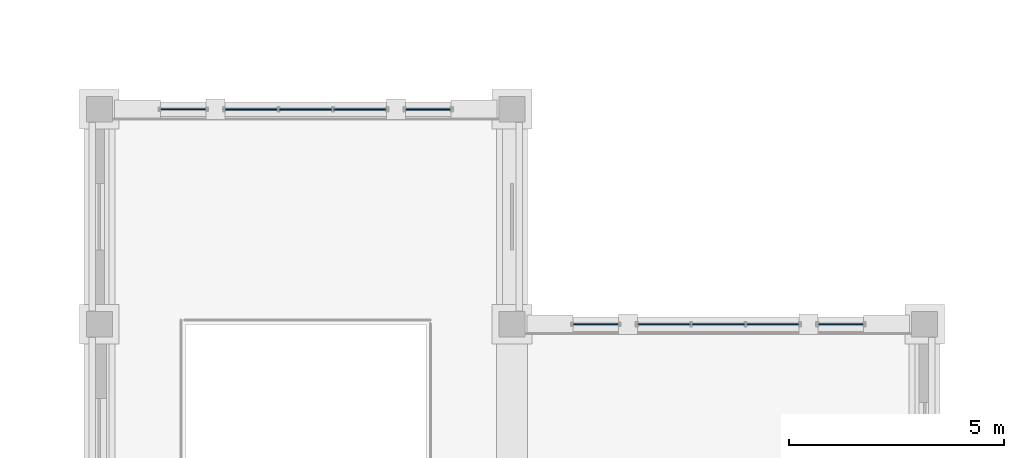
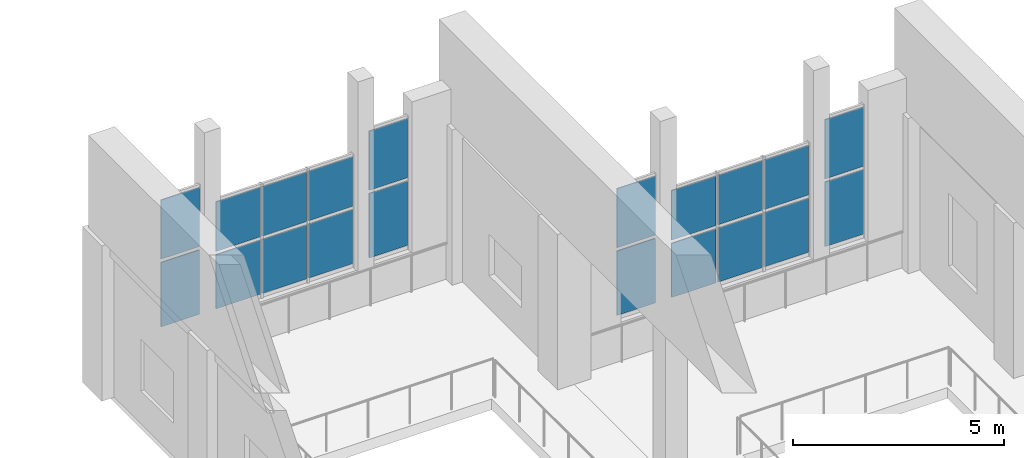
# One storey, part 23 of 46: 20 plates, 6 elements without a shape of their own.
"""IFC4 building model written with IfcOpenShell, lengths in metres."""

from ifc_helpers import new_model, si_unit, direction, frame, origin, origin_2d, place, context, subcontext, project, spatial, rectangle, extrude, material, layer, layer_set, type_object, element, aggregate, save


model = new_model("IFC4")

# Units and contexts
model_context = context("Model", 3, precision=1e-05, world=origin(), true_north=direction((0.0, 1.0)))
body_context = subcontext(model_context, "Body", "Model", "MODEL_VIEW")
ifc_project = project(units=[si_unit("LENGTHUNIT", "METRE"), si_unit("AREAUNIT", "SQUARE_METRE"), si_unit("VOLUMEUNIT", "CUBIC_METRE"), si_unit("PLANEANGLEUNIT", "RADIAN"), si_unit("MASSUNIT", "GRAM", prefix="KILO")], contexts=[model_context])

# Site, building, storey
site_placement = place(None, origin())
site = spatial("IfcSite", under=ifc_project, at=site_placement, CompositionType="ELEMENT")
building_placement = place(site_placement, origin())
building = spatial("IfcBuilding", under=site, at=building_placement, Name="Mavantir Sound Aquarium", CompositionType="ELEMENT")
storey_placement = place(building_placement, frame((0.0, 0.0, 15.300048828125)))
storey = spatial("IfcBuildingStorey", under=building, at=storey_placement, Name="L03", CompositionType="ELEMENT", Elevation=15.300048828125)

# Curtain wall, plates
ifc_material_1 = material(Name="Anodised Marine Aluminium and Low-E Glass", Category="aluminium")
curtain_wall_type_1 = type_object("IfcCurtainWallType", Name="CW-T02", PredefinedType="USERDEFINED", material=ifc_material_1)
curtain_wall_1_placement = place(storey_placement, origin())
curtain_wall_1 = element("IfcCurtainWall", 1, at=curtain_wall_1_placement, inside=storey, type_object=curtain_wall_type_1, Name="L03 unitised curtain wall CW-02 145", ObjectType="UNITISED GLAZING", PredefinedType="USERDEFINED")
ifc_material_2 = material(Name="Solar-Control Laminated Low-E Glass", Category="glass")
ifc_layer_1 = layer(ifc_material_2, 0.028076171875, Name="Solar-Control Laminated Low-E Glass")
ifc_layer_set_1 = layer_set([ifc_layer_1], Name="Solar-Control Laminated Low-E Glass")
plate_type_1 = type_object("IfcPlateType", Name="CW-PNL-28", PredefinedType="CURTAIN_PANEL", material=ifc_layer_set_1)
plate_1_placement = place(storey_placement, frame((109.949951171875, 90.800048828125, 1.222900390625), z_axis=(0.0, 0.0, 1.0), x_axis=(1.0, 0.0, 0.0)))
plate_1 = element("IfcPlate", 2, at=plate_1_placement, type_object=plate_type_1, Name="CW-DIOC-1N-L glazed curtain panel 1.1", PredefinedType="CURTAIN_PANEL", context=body_context, shape_type="SweptSolid", body=[
    extrude(rectangle(XDim=1.052001953125, YDim=0.028076171875, at=origin_2d()), origin(), (0.0, 0.0, 1.0), 1.86669921875),
])
plate_2_placement = place(storey_placement, frame((109.949951171875, 90.800048828125, 3.185546875), z_axis=(0.0, 0.0, 1.0), x_axis=(1.0, 0.0, 0.0)))
plate_2 = element("IfcPlate", 3, at=plate_2_placement, type_object=plate_type_1, Name="CW-DIOC-1N-L glazed curtain panel 1.2", PredefinedType="CURTAIN_PANEL", context=body_context, shape_type="SweptSolid", body=[
    extrude(rectangle(XDim=1.052001953125, YDim=0.028076171875, at=origin_2d()), origin(), (0.0, 0.0, 1.0), 1.71142578125),
])
aggregate(curtain_wall_1, [plate_1, plate_2])

curtain_wall_type_2 = type_object("IfcCurtainWallType", Name="CW-T08", PredefinedType="USERDEFINED", material=ifc_material_1)
curtain_wall_2_placement = place(storey_placement, origin())
curtain_wall_2 = element("IfcCurtainWall", 4, at=curtain_wall_2_placement, inside=storey, type_object=curtain_wall_type_2, Name="L03 unitised curtain wall CW-08 151", ObjectType="UNITISED GLAZING", PredefinedType="USERDEFINED")
plate_3_placement = place(storey_placement, frame((119.550048828125, 85.800048828125, 1.222900390625), z_axis=(0.0, 0.0, 1.0), x_axis=(1.0, 0.0, 0.0)))
plate_3 = element("IfcPlate", 5, at=plate_3_placement, type_object=plate_type_1, Name="CW-DIOC-2N-L glazed curtain panel 1.1", PredefinedType="CURTAIN_PANEL", context=body_context, shape_type="SweptSolid", body=[
    extrude(rectangle(XDim=1.052001953125, YDim=0.028076171875, at=origin_2d()), origin(), (0.0, 0.0, 1.0), 1.86669921875),
])
plate_4_placement = place(storey_placement, frame((119.550048828125, 85.800048828125, 3.185546875), z_axis=(0.0, 0.0, 1.0), x_axis=(1.0, 0.0, 0.0)))
plate_4 = element("IfcPlate", 6, at=plate_4_placement, type_object=plate_type_1, Name="CW-DIOC-2N-L glazed curtain panel 1.2", PredefinedType="CURTAIN_PANEL", context=body_context, shape_type="SweptSolid", body=[
    extrude(rectangle(XDim=1.052001953125, YDim=0.028076171875, at=origin_2d()), origin(), (0.0, 0.0, 1.0), 1.71142578125),
])
aggregate(curtain_wall_2, [plate_3, plate_4])

curtain_wall_type_3 = type_object("IfcCurtainWallType", Name="CW-T01", PredefinedType="USERDEFINED", material=ifc_material_1)
curtain_wall_3_placement = place(storey_placement, origin())
curtain_wall_3 = element("IfcCurtainWall", 7, at=curtain_wall_3_placement, inside=storey, type_object=curtain_wall_type_3, Name="L03 unitised curtain wall CW-01 144", ObjectType="UNITISED GLAZING", PredefinedType="USERDEFINED")
ifc_layer_2 = layer(ifc_material_2, 0.031982421875, Name="Solar-Control Laminated Low-E Glass")
ifc_layer_set_2 = layer_set([ifc_layer_2], Name="Solar-Control Laminated Low-E Glass")
plate_type_2 = type_object("IfcPlateType", Name="CW-PNL-32", PredefinedType="CURTAIN_PANEL", material=ifc_layer_set_2)
plate_5_placement = place(storey_placement, frame((111.533203125, 90.800048828125, 1.222900390625), z_axis=(0.0, 0.0, 1.0), x_axis=(1.0, 0.0, 0.0)))
plate_5 = element("IfcPlate", 8, at=plate_5_placement, type_object=plate_type_2, Name="CW-DIOC-1N-C glazed curtain panel 1.1", PredefinedType="CURTAIN_PANEL", context=body_context, shape_type="SweptSolid", body=[
    extrude(rectangle(XDim=1.21875, YDim=0.031982421875, at=origin_2d()), origin(), (0.0, 0.0, 1.0), 1.56494140625),
])
plate_6_placement = place(storey_placement, frame((111.533203125, 90.800048828125, 2.8837890625), z_axis=(0.0, 0.0, 1.0), x_axis=(1.0, 0.0, 0.0)))
plate_6 = element("IfcPlate", 9, at=plate_6_placement, type_object=plate_type_2, Name="CW-DIOC-1N-C glazed curtain panel 1.2", PredefinedType="CURTAIN_PANEL", context=body_context, shape_type="SweptSolid", body=[
    extrude(rectangle(XDim=1.21875, YDim=0.031982421875, at=origin_2d()), origin(), (0.0, 0.0, 1.0), 1.43310546875),
])
plate_7_placement = place(storey_placement, frame((112.800048828125, 90.800048828125, 1.222900390625), z_axis=(0.0, 0.0, 1.0), x_axis=(1.0, 0.0, 0.0)))
plate_7 = element("IfcPlate", 10, at=plate_7_placement, type_object=plate_type_2, Name="CW-DIOC-1N-C glazed curtain panel 2.1", PredefinedType="CURTAIN_PANEL", context=body_context, shape_type="SweptSolid", body=[
    extrude(rectangle(XDim=1.21875, YDim=0.031982421875, at=origin_2d()), origin(), (0.0, 0.0, 1.0), 1.56494140625),
])
plate_8_placement = place(storey_placement, frame((112.800048828125, 90.800048828125, 2.8837890625), z_axis=(0.0, 0.0, 1.0), x_axis=(1.0, 0.0, 0.0)))
plate_8 = element("IfcPlate", 11, at=plate_8_placement, type_object=plate_type_2, Name="CW-DIOC-1N-C glazed curtain panel 2.2", PredefinedType="CURTAIN_PANEL", context=body_context, shape_type="SweptSolid", body=[
    extrude(rectangle(XDim=1.21875, YDim=0.031982421875, at=origin_2d()), origin(), (0.0, 0.0, 1.0), 1.43310546875),
])
plate_9_placement = place(storey_placement, frame((114.066650390625, 90.800048828125, 1.222900390625), z_axis=(0.0, 0.0, 1.0), x_axis=(1.0, 0.0, 0.0)))
plate_9 = element("IfcPlate", 12, at=plate_9_placement, type_object=plate_type_2, Name="CW-DIOC-1N-C glazed curtain panel 3.1", PredefinedType="CURTAIN_PANEL", context=body_context, shape_type="SweptSolid", body=[
    extrude(rectangle(XDim=1.21875, YDim=0.031982421875, at=origin_2d()), origin(), (0.0, 0.0, 1.0), 1.56494140625),
])
plate_10_placement = place(storey_placement, frame((114.066650390625, 90.800048828125, 2.8837890625), z_axis=(0.0, 0.0, 1.0), x_axis=(1.0, 0.0, 0.0)))
plate_10 = element("IfcPlate", 13, at=plate_10_placement, type_object=plate_type_2, Name="CW-DIOC-1N-C glazed curtain panel 3.2", PredefinedType="CURTAIN_PANEL", context=body_context, shape_type="SweptSolid", body=[
    extrude(rectangle(XDim=1.21875, YDim=0.031982421875, at=origin_2d()), origin(), (0.0, 0.0, 1.0), 1.43310546875),
])
aggregate(curtain_wall_3, [plate_5, plate_6, plate_7, plate_8, plate_9, plate_10])

curtain_wall_type_4 = type_object("IfcCurtainWallType", Name="CW-T03", PredefinedType="USERDEFINED", material=ifc_material_1)
curtain_wall_4_placement = place(storey_placement, origin())
curtain_wall_4 = element("IfcCurtainWall", 14, at=curtain_wall_4_placement, inside=storey, type_object=curtain_wall_type_4, Name="L03 unitised curtain wall CW-03 146", ObjectType="UNITISED GLAZING", PredefinedType="USERDEFINED")
plate_11_placement = place(storey_placement, frame((115.64990234375, 90.800048828125, 1.222900390625), z_axis=(0.0, 0.0, 1.0), x_axis=(1.0, 0.0, 0.0)))
plate_11 = element("IfcPlate", 15, at=plate_11_placement, type_object=plate_type_2, Name="CW-DIOC-1N-R glazed curtain panel 1.1", PredefinedType="CURTAIN_PANEL", context=body_context, shape_type="SweptSolid", body=[
    extrude(rectangle(XDim=1.052001953125, YDim=0.031982421875, at=origin_2d()), origin(), (0.0, 0.0, 1.0), 1.86669921875),
])
plate_12_placement = place(storey_placement, frame((115.64990234375, 90.800048828125, 3.185546875), z_axis=(0.0, 0.0, 1.0), x_axis=(1.0, 0.0, 0.0)))
plate_12 = element("IfcPlate", 16, at=plate_12_placement, type_object=plate_type_2, Name="CW-DIOC-1N-R glazed curtain panel 1.2", PredefinedType="CURTAIN_PANEL", context=body_context, shape_type="SweptSolid", body=[
    extrude(rectangle(XDim=1.052001953125, YDim=0.031982421875, at=origin_2d()), origin(), (0.0, 0.0, 1.0), 1.71142578125),
])
aggregate(curtain_wall_4, [plate_11, plate_12])

curtain_wall_type_5 = type_object("IfcCurtainWallType", Name="CW-T07", PredefinedType="USERDEFINED", material=ifc_material_1)
curtain_wall_5_placement = place(storey_placement, origin())
curtain_wall_5 = element("IfcCurtainWall", 17, at=curtain_wall_5_placement, inside=storey, type_object=curtain_wall_type_5, Name="L03 unitised curtain wall CW-07 150", ObjectType="UNITISED GLAZING", PredefinedType="USERDEFINED")
plate_13_placement = place(storey_placement, frame((121.13330078125, 85.800048828125, 1.222900390625), z_axis=(0.0, 0.0, 1.0), x_axis=(1.0, 0.0, 0.0)))
plate_13 = element("IfcPlate", 18, at=plate_13_placement, type_object=plate_type_2, Name="CW-DIOC-2N-C glazed curtain panel 1.1", PredefinedType="CURTAIN_PANEL", context=body_context, shape_type="SweptSolid", body=[
    extrude(rectangle(XDim=1.21875, YDim=0.031982421875, at=origin_2d()), origin(), (0.0, 0.0, 1.0), 1.56494140625),
])
plate_14_placement = place(storey_placement, frame((121.13330078125, 85.800048828125, 2.8837890625), z_axis=(0.0, 0.0, 1.0), x_axis=(1.0, 0.0, 0.0)))
plate_14 = element("IfcPlate", 19, at=plate_14_placement, type_object=plate_type_2, Name="CW-DIOC-2N-C glazed curtain panel 1.2", PredefinedType="CURTAIN_PANEL", context=body_context, shape_type="SweptSolid", body=[
    extrude(rectangle(XDim=1.21875, YDim=0.031982421875, at=origin_2d()), origin(), (0.0, 0.0, 1.0), 1.43310546875),
])
plate_15_placement = place(storey_placement, frame((122.39990234375, 85.800048828125, 1.222900390625), z_axis=(0.0, 0.0, 1.0), x_axis=(1.0, 0.0, 0.0)))
plate_15 = element("IfcPlate", 20, at=plate_15_placement, type_object=plate_type_2, Name="CW-DIOC-2N-C glazed curtain panel 2.1", PredefinedType="CURTAIN_PANEL", context=body_context, shape_type="SweptSolid", body=[
    extrude(rectangle(XDim=1.21875, YDim=0.031982421875, at=origin_2d()), origin(), (0.0, 0.0, 1.0), 1.56494140625),
])
plate_16_placement = place(storey_placement, frame((122.39990234375, 85.800048828125, 2.8837890625), z_axis=(0.0, 0.0, 1.0), x_axis=(1.0, 0.0, 0.0)))
plate_16 = element("IfcPlate", 21, at=plate_16_placement, type_object=plate_type_2, Name="CW-DIOC-2N-C glazed curtain panel 2.2", PredefinedType="CURTAIN_PANEL", context=body_context, shape_type="SweptSolid", body=[
    extrude(rectangle(XDim=1.21875, YDim=0.031982421875, at=origin_2d()), origin(), (0.0, 0.0, 1.0), 1.43310546875),
])
plate_17_placement = place(storey_placement, frame((123.666748046875, 85.800048828125, 1.222900390625), z_axis=(0.0, 0.0, 1.0), x_axis=(1.0, 0.0, 0.0)))
plate_17 = element("IfcPlate", 22, at=plate_17_placement, type_object=plate_type_2, Name="CW-DIOC-2N-C glazed curtain panel 3.1", PredefinedType="CURTAIN_PANEL", context=body_context, shape_type="SweptSolid", body=[
    extrude(rectangle(XDim=1.21875, YDim=0.031982421875, at=origin_2d()), origin(), (0.0, 0.0, 1.0), 1.56494140625),
])
plate_18_placement = place(storey_placement, frame((123.666748046875, 85.800048828125, 2.8837890625), z_axis=(0.0, 0.0, 1.0), x_axis=(1.0, 0.0, 0.0)))
plate_18 = element("IfcPlate", 23, at=plate_18_placement, type_object=plate_type_2, Name="CW-DIOC-2N-C glazed curtain panel 3.2", PredefinedType="CURTAIN_PANEL", context=body_context, shape_type="SweptSolid", body=[
    extrude(rectangle(XDim=1.21875, YDim=0.031982421875, at=origin_2d()), origin(), (0.0, 0.0, 1.0), 1.43310546875),
])
aggregate(curtain_wall_5, [plate_13, plate_14, plate_15, plate_16, plate_17, plate_18])

curtain_wall_type_6 = type_object("IfcCurtainWallType", Name="CW-T09", PredefinedType="USERDEFINED", material=ifc_material_1)
curtain_wall_6_placement = place(storey_placement, origin())
curtain_wall_6 = element("IfcCurtainWall", 24, at=curtain_wall_6_placement, inside=storey, type_object=curtain_wall_type_6, Name="L03 unitised curtain wall CW-09 152", ObjectType="UNITISED GLAZING", PredefinedType="USERDEFINED")
plate_19_placement = place(storey_placement, frame((125.25, 85.800048828125, 1.222900390625), z_axis=(0.0, 0.0, 1.0), x_axis=(1.0, 0.0, 0.0)))
plate_19 = element("IfcPlate", 25, at=plate_19_placement, type_object=plate_type_2, Name="CW-DIOC-2N-R glazed curtain panel 1.1", PredefinedType="CURTAIN_PANEL", context=body_context, shape_type="SweptSolid", body=[
    extrude(rectangle(XDim=1.052001953125, YDim=0.031982421875, at=origin_2d()), origin(), (0.0, 0.0, 1.0), 1.86669921875),
])
plate_20_placement = place(storey_placement, frame((125.25, 85.800048828125, 3.185546875), z_axis=(0.0, 0.0, 1.0), x_axis=(1.0, 0.0, 0.0)))
plate_20 = element("IfcPlate", 26, at=plate_20_placement, type_object=plate_type_2, Name="CW-DIOC-2N-R glazed curtain panel 1.2", PredefinedType="CURTAIN_PANEL", context=body_context, shape_type="SweptSolid", body=[
    extrude(rectangle(XDim=1.052001953125, YDim=0.031982421875, at=origin_2d()), origin(), (0.0, 0.0, 1.0), 1.71142578125),
])
aggregate(curtain_wall_6, [plate_19, plate_20])

save(model, "model.ifc")
